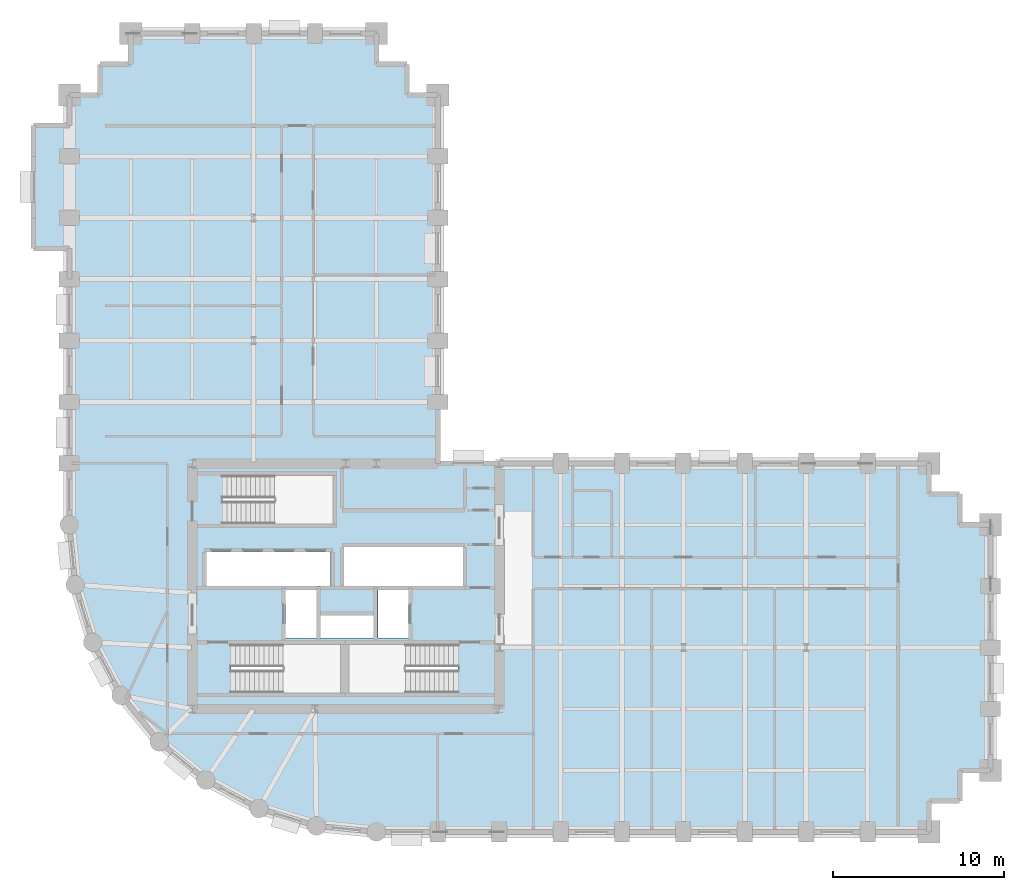
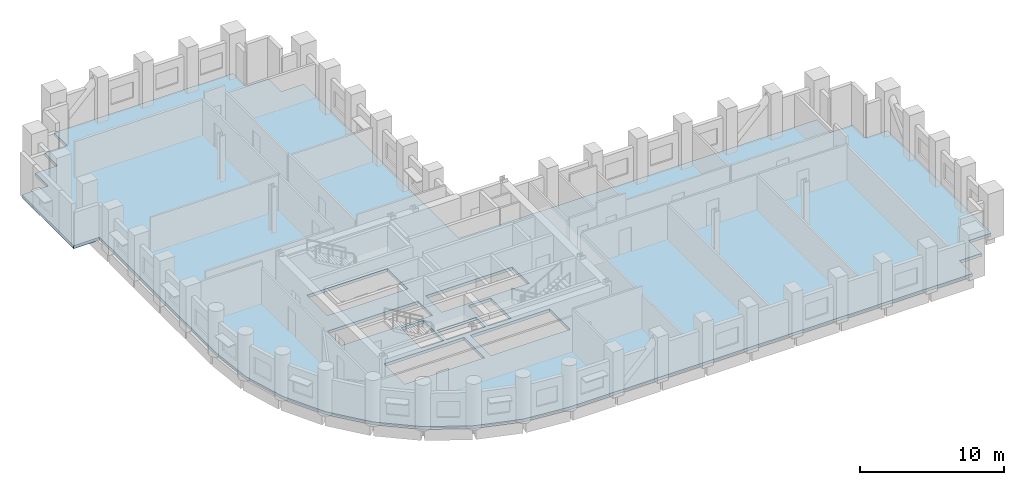
# One storey, part 4 of 11: 1 slab.
"""IFC4 building model written with IfcOpenShell, lengths in metres."""

import ifcopenshell
import ifcopenshell.guid

model = None  # the IFC model being written
_history = None  # IfcOwnerHistory: only IFC2X3 demands one
_inside = {}  # id of a spatial element -> (the spatial element, [elements in it])
_under = {}  # id of a project, library or spatial element -> (it, [spatial elements below it])
_declared = {}  # id of a project -> (the project, [libraries it declares])
_typed = {}  # id of a type object -> (the type object, [elements of that type])
_made_of = {}  # id of a material, layer set ... -> (it, [elements and type objects made of it])


def new_model(schema):
    """Start an empty IFC model of exactly this schema.

    Asked for "IFC4X3", IfcOpenShell would pick the latest addendum, in which some entities
    have other attributes; the version numbers below select the first issue.
    IFC2X3 requires an IfcOwnerHistory on every rooted entity: one is made here for all.
    """
    global model, _history
    if schema == "IFC4X3":
        model = ifcopenshell.file(schema_version=(4, 3, 0, 0))
    else:
        model = ifcopenshell.file(schema=schema)
    _inside.clear()
    _under.clear()
    _declared.clear()
    _typed.clear()
    _made_of.clear()
    _history = None
    if model.schema == "IFC2X3":
        org = make("IfcOrganization", Name="unknown")
        user = make(
            "IfcPersonAndOrganization",
            ThePerson=make("IfcPerson", FamilyName="unknown"),
            TheOrganization=org,
        )
        app = make(
            "IfcApplication",
            ApplicationDeveloper=org,
            Version="unknown",
            ApplicationFullName="unknown",
            ApplicationIdentifier="unknown",
        )
        _history = make(
            "IfcOwnerHistory",
            OwningUser=user,
            OwningApplication=app,
            ChangeAction="ADDED",
            CreationDate=0,
        )
    return model


def make(cls, **values):
    """One entity of the class cls with the attributes given. An attribute that is None is left unset."""
    return model.create_entity(
        cls, **{name: value for name, value in values.items() if value is not None}
    )


def rooted(cls, **values):
    """An entity with a GlobalId (a new one), such as an element, a storey or a relation."""
    return make(cls, GlobalId=ifcopenshell.guid.new(), OwnerHistory=_history, **values)


def si_unit(unit_type, name, prefix=None):
    """IfcSIUnit, for example si_unit("LENGTHUNIT", "METRE", prefix="MILLI")."""
    return make("IfcSIUnit", UnitType=unit_type, Prefix=prefix, Name=name)


def assignment(units):
    """IfcUnitAssignment: the units of a project."""
    return None if units is None else make("IfcUnitAssignment", Units=units)


def point(xyz):
    """IfcCartesianPoint."""
    return None if xyz is None else make("IfcCartesianPoint", Coordinates=xyz)


def direction(xyz):
    """IfcDirection."""
    return None if xyz is None else make("IfcDirection", DirectionRatios=xyz)


def frame(location, z_axis=None, x_axis=None):
    """IfcAxis2Placement3D, a coordinate frame: its origin and axes. An axis left out is left unset."""
    return make(
        "IfcAxis2Placement3D",
        Location=point(location),
        Axis=direction(z_axis),
        RefDirection=direction(x_axis),
    )


def origin():
    """The frame at (0, 0, 0) with its axes left unset."""
    return frame((0.0, 0.0, 0.0))


def place(relative_to, where):
    """IfcLocalPlacement: puts the frame where relative to a parent placement (None: the world)."""
    return make(
        "IfcLocalPlacement", PlacementRelTo=relative_to, RelativePlacement=where
    )


def context(
    kind, dimensions, precision=None, world=None, true_north=None, identifier=None
):
    """IfcGeometricRepresentationContext, for example the 3D "Model" context."""
    return make(
        "IfcGeometricRepresentationContext",
        ContextIdentifier=identifier,
        ContextType=kind,
        CoordinateSpaceDimension=dimensions,
        Precision=precision,
        WorldCoordinateSystem=world,
        TrueNorth=true_north,
    )


def subcontext(parent, identifier, kind, view, scale=None):
    """IfcGeometricRepresentationSubContext, for example "Body" below "Model"."""
    return make(
        "IfcGeometricRepresentationSubContext",
        ContextIdentifier=identifier,
        ContextType=kind,
        ParentContext=parent,
        TargetScale=scale,
        TargetView=view,
    )


def project(units=None, contexts=None):
    """IfcProject with its units and contexts."""
    return rooted(
        "IfcProject",
        Name="project",
        RepresentationContexts=contexts,
        UnitsInContext=assignment(units),
    )


def spatial(cls, under=None, at=None, **own):
    """A site, building, storey or space (cls), placed at a placement, below another one or the project."""
    s = rooted(cls, ObjectPlacement=at, **own)
    if under is not None:
        _under.setdefault(under.id(), (under, []))[1].append(s)
    return s


def polyline(points):
    """IfcPolyline through the points."""
    return make("IfcPolyline", Points=[point(p) for p in points])


def outline(outer, holes=None, kind="AREA"):
    """IfcArbitraryClosedProfileDef: a profile drawn as a closed curve; with holes, ...WithVoids."""
    if holes is None:
        return make("IfcArbitraryClosedProfileDef", ProfileType=kind, OuterCurve=outer)
    return make(
        "IfcArbitraryProfileDefWithVoids",
        ProfileType=kind,
        OuterCurve=outer,
        InnerCurves=holes,
    )


def extrude(swept, where, along, depth):
    """IfcExtrudedAreaSolid: the profile swept, set in the frame where, extruded along a direction by depth."""
    return make(
        "IfcExtrudedAreaSolid",
        SweptArea=swept,
        Position=where,
        ExtrudedDirection=direction(along),
        Depth=depth,
    )


def shape(context_of_items, identifier, shape_type, items):
    """IfcShapeRepresentation: the items that make up one representation, for example the "Body"."""
    return make(
        "IfcShapeRepresentation",
        ContextOfItems=context_of_items,
        RepresentationIdentifier=identifier,
        RepresentationType=shape_type,
        Items=items,
    )


def material(Name=None, Category=None):
    """IfcMaterial."""
    return make("IfcMaterial", Name=Name, Category=Category)


def layer(
    of_material, thickness, ventilated=None, Name=None, Category=None, Priority=None
):
    """IfcMaterialLayer: one layer of a wall or slab, of a material (None: an air gap)."""
    return make(
        "IfcMaterialLayer",
        Material=of_material,
        LayerThickness=thickness,
        IsVentilated=ventilated,
        Name=Name,
        Category=Category,
        Priority=Priority,
    )


def layer_set(layers, Name=None):
    """IfcMaterialLayerSet."""
    return make("IfcMaterialLayerSet", MaterialLayers=layers, LayerSetName=Name)


def made_of(thing, what):
    """Note that an element or type object is made of a material, layer set ...; save() writes the relation."""
    if what is not None:
        _made_of.setdefault(what.id(), (what, []))[1].append(thing)
    return thing


def type_object(cls, material=None, **own):
    """A type object (cls), such as IfcWallType, which elements share."""
    return made_of(rooted(cls, **own), material)


def element(
    cls,
    number,
    at=None,
    inside=None,
    cuts=None,
    type_object=None,
    material=None,
    context=None,
    identifier="Body",
    shape_type=None,
    held_by="IfcProductDefinitionShape",
    body=None,
    shapes=None,
    **own,
):
    """One element of the class cls, such as IfcWall. Its Tag is "e" and its number.

    at: its placement. inside: the storey or other place that contains it. cuts: it is an
    opening in that element (IfcRelVoidsElement). A single representation is given by context,
    identifier, shape_type and body (its items); several are given by shapes. held_by: the class
    of the entity that holds the representations. save() writes the other relations.
    """
    e = rooted(cls, Tag="e%d" % number, ObjectPlacement=at, **own)
    if body is not None:
        shapes = [shape(context, identifier, shape_type, body)]
    if shapes is not None:
        e.Representation = make(held_by, Representations=shapes)
    if inside is not None:
        _inside.setdefault(inside.id(), (inside, []))[1].append(e)
    if cuts is not None:
        rooted(
            "IfcRelVoidsElement", RelatingBuildingElement=cuts, RelatedOpeningElement=e
        )
    if type_object is not None:
        _typed.setdefault(type_object.id(), (type_object, []))[1].append(e)
    return made_of(e, material)


def aggregate(whole, parts):
    """IfcRelAggregates: a whole, such as a stair, and the parts it consists of."""
    return rooted("IfcRelAggregates", RelatingObject=whole, RelatedObjects=parts)


def save(model, path):
    """Write the relations noted so far, then the file.

    IfcRelAggregates (storeys below a building ...), IfcRelContainedInSpatialStructure (elements
    in a storey), IfcRelDefinesByType, IfcRelAssociatesMaterial and IfcRelDeclares: one each for
    every whole, place, type object, material and project.
    """
    for whole, parts in _under.values():
        aggregate(whole, parts)
    for where, things in _inside.values():
        rooted(
            "IfcRelContainedInSpatialStructure",
            RelatedElements=things,
            RelatingStructure=where,
        )
    for kind, things in _typed.values():
        rooted("IfcRelDefinesByType", RelatedObjects=things, RelatingType=kind)
    for what, things in _made_of.values():
        rooted("IfcRelAssociatesMaterial", RelatedObjects=things, RelatingMaterial=what)
    for by, libraries in _declared.values():
        rooted("IfcRelDeclares", RelatingContext=by, RelatedDefinitions=libraries)
    model.write(path)


model = new_model("IFC4")

# Units and contexts
model_context = context("Model", 3, precision=1e-05, world=origin(), true_north=direction((0.0, 1.0)))
body_context = subcontext(model_context, "Body", "Model", "MODEL_VIEW")
ifc_project = project(units=[si_unit("LENGTHUNIT", "METRE"), si_unit("AREAUNIT", "SQUARE_METRE"), si_unit("VOLUMEUNIT", "CUBIC_METRE"), si_unit("PLANEANGLEUNIT", "RADIAN"), si_unit("MASSUNIT", "GRAM", prefix="KILO")], contexts=[model_context])

# Site, building, storey
site_placement = place(None, origin())
site = spatial("IfcSite", under=ifc_project, at=site_placement, CompositionType="ELEMENT")
building_placement = place(site_placement, origin())
building = spatial("IfcBuilding", under=site, at=building_placement, Name="Solnavia Interchange Tower", CompositionType="ELEMENT")
storey_placement = place(building_placement, frame((0.0, 0.0, 47.39990234375)))
storey = spatial("IfcBuildingStorey", under=building, at=storey_placement, Name="L11", CompositionType="ELEMENT", Elevation=47.39990234375)

# Slab
ifc_material = material(Name="Concrete C40/50", Category="concrete")
ifc_layer = layer(ifc_material, 0.25)
ifc_layer_set = layer_set([ifc_layer], Name="Concrete C40/50")
slab_type = type_object("IfcSlabType", Name="Slab-Tower-250", PredefinedType="FLOOR", material=ifc_layer_set)
slab_placement = place(storey_placement, frame((0.0, 0.0, -0.25)))
element("IfcSlab", 1, at=slab_placement, inside=storey, type_object=slab_type, Name="SLB-L11-01 Structural floor slab", PredefinedType="FLOOR", context=body_context, shape_type="SweptSolid", body=[
    extrude(outline(polyline([(25.199951171875, 3.60009765625), (57.60009765625, 3.60009765625), (57.60009765625, 5.39990234375), (59.39990234375, 5.39990234375), (59.39990234375, 7.199951171875), (61.199951171875, 7.199951171875), (61.199951171875, 21.60009765625), (59.39990234375, 21.60009765625), (59.39990234375, 23.39990234375), (57.60009765625, 23.39990234375), (57.60009765625, 25.199951171875), (28.800048828125, 25.199951171875), (28.800048828125, 46.800048828125), (27.0, 46.800048828125), (27.0, 48.60009765625), (25.199951171875, 48.60009765625), (25.199951171875, 50.39990234375), (10.800048828125, 50.39990234375), (10.800048828125, 48.60009765625), (9.0, 48.60009765625), (9.0, 46.800048828125), (7.199951171875, 46.800048828125), (7.199951171875, 45.0), (5.10009765625, 45.0), (5.10009765625, 37.800048828125), (7.199951171875, 37.800048828125), (7.199951171875, 21.60009765625), (7.5458984375, 18.087890625), (8.570068359375, 14.7119140625), (10.23388671875, 11.60009765625), (12.471923828125, 8.8720703125), (15.199951171875, 6.634033203125), (18.31201171875, 4.969970703125), (21.68798828125, 3.946044921875), (25.199951171875, 3.60009765625)]), holes=[polyline([(16.675048828125, 11.75), (23.10009765625, 11.75), (23.10009765625, 14.590087890625), (16.675048828125, 14.590087890625), (16.675048828125, 11.75)]), polyline([(23.60009765625, 11.75), (29.97509765625, 11.75), (29.97509765625, 14.590087890625), (23.60009765625, 14.590087890625), (23.60009765625, 11.75)]), polyline([(16.175048828125, 21.64990234375), (22.64990234375, 21.64990234375), (22.64990234375, 24.489990234375), (16.175048828125, 24.489990234375), (16.175048828125, 21.64990234375)]), polyline([(19.8798828125, 14.9599609375), (21.679931640625, 14.9599609375), (21.679931640625, 17.780029296875), (19.8798828125, 17.780029296875), (19.8798828125, 14.9599609375)]), polyline([(25.280029296875, 14.9599609375), (27.080078125, 14.9599609375), (27.080078125, 17.780029296875), (25.280029296875, 17.780029296875), (25.280029296875, 14.9599609375)]), polyline([(21.919921875, 14.9599609375), (25.02001953125, 14.9599609375), (25.02001953125, 16.280029296875), (21.919921875, 16.280029296875), (21.919921875, 14.9599609375)]), polyline([(15.219970703125, 18.02001953125), (22.52001953125, 18.02001953125), (22.52001953125, 20.0), (15.219970703125, 20.0), (15.219970703125, 18.02001953125)]), polyline([(23.300048828125, 18.02001953125), (30.280029296875, 18.02001953125), (30.280029296875, 20.300048828125), (23.300048828125, 20.300048828125), (23.300048828125, 18.02001953125)])]), origin(), (0.0, 0.0, 1.0), 0.25),
])

save(model, "model.ifc")
